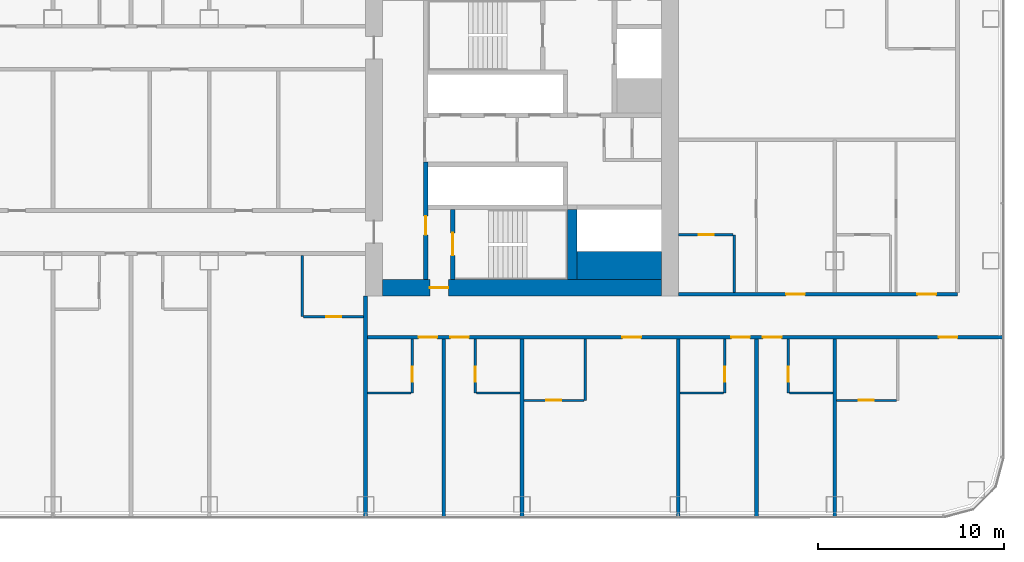
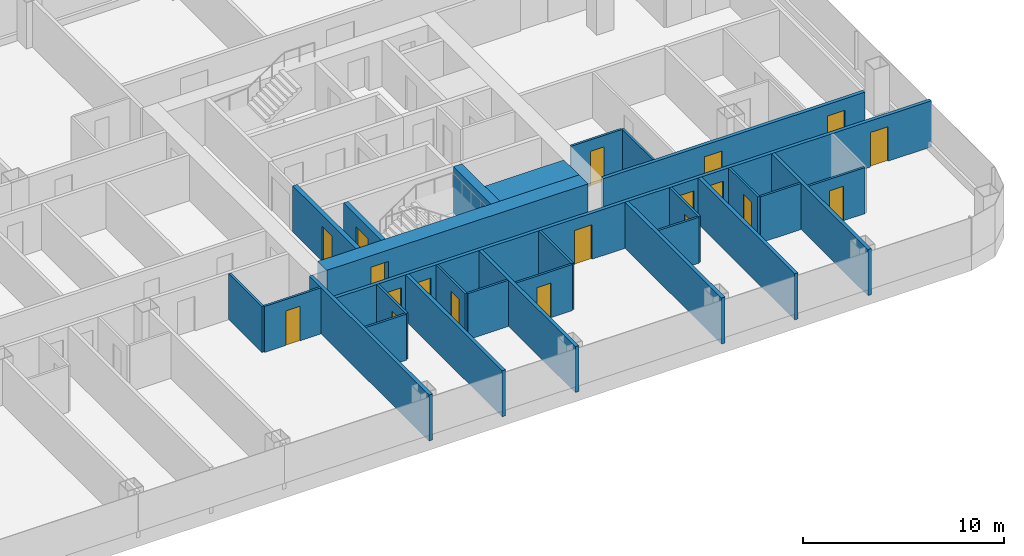
# One storey, part 18 of 29: 28 walls, 19 doors, 19 openings.
"""IFC4 building model written with IfcOpenShell, lengths in metres."""

from ifc_helpers import new_model, si_unit, direction, frame, frame_2d, origin, place, context, subcontext, project, spatial, rectangle, extrude, material, layer, layer_set, type_object, element, fill, save


model = new_model("IFC4")

# Units and contexts
model_context = context("Model", 3, precision=1e-05, world=origin(), true_north=direction((0.0, 1.0)))
body_context = subcontext(model_context, "Body", "Model", "MODEL_VIEW")
ifc_project = project(units=[si_unit("LENGTHUNIT", "METRE"), si_unit("AREAUNIT", "SQUARE_METRE"), si_unit("VOLUMEUNIT", "CUBIC_METRE"), si_unit("PLANEANGLEUNIT", "RADIAN"), si_unit("MASSUNIT", "GRAM", prefix="KILO")], contexts=[model_context])

# Site, building, storey
site_placement = place(None, origin())
site = spatial("IfcSite", under=ifc_project, at=site_placement, CompositionType="ELEMENT")
building_placement = place(site_placement, origin())
building = spatial("IfcBuilding", under=site, at=building_placement, Name="Hakoniwa Tower and Hamabe Station Hall", CompositionType="ELEMENT")
storey_placement = place(building_placement, frame((0.0, 0.0, 29.39990234375)))
storey = spatial("IfcBuildingStorey", under=building, at=storey_placement, Name="L07", CompositionType="ELEMENT", Elevation=29.39990234375)

# Wall, opening, door
ifc_material_1 = material(Name="Gypsum board partition", Category="gypsum")
ifc_layer_1 = layer(ifc_material_1, 0.125)
ifc_layer_set_1 = layer_set([ifc_layer_1], Name="Bathroom Partition 125")
wall_type_1 = type_object("IfcWallType", Name="Bathroom Partition 125", PredefinedType="PARTITIONING", material=ifc_layer_set_1)
wall_1_placement = place(storey_placement, frame((25.300048828125, -14.0, 0.0), z_axis=(0.0, 0.0, 1.0), x_axis=(1.0, 0.0, 0.0)))
wall_1 = element("IfcWall", 1, at=wall_1_placement, inside=storey, type_object=wall_type_1, Name="GW-L07-004", PredefinedType="PARTITIONING", context=body_context, shape_type="SweptSolid", body=[
    extrude(rectangle(XDim=3.237548828125, YDim=0.125, at=frame_2d((1.61865234375, 0.0))), origin(), (0.0, 0.0, 1.0), 2.800048828125),
])
opening_1_placement = place(wall_1_placement, frame((1.199951171875, 0.0, 0.0)))
opening_1 = element("IfcOpeningElement", 2, at=opening_1_placement, cuts=wall_1, Name="Opening GD-G1D0-03", PredefinedType="OPENING", context=body_context, shape_type="SweptSolid", body=[
    extrude(rectangle(XDim=0.800048828125, YDim=2.10009765625, at=frame_2d((0.39990234375, 1.050048828125))), frame((0.0, 0.072509765625, 0.0), z_axis=(0.0, -1.0, 0.0), x_axis=(1.0, 0.0, 0.0)), (0.0, 0.0, 1.0), 0.14501953125),
])
ifc_material_2 = material(Name="Timber door leaf", Category="wood")
door_type_1 = type_object("IfcDoorType", Name="Bathroom Door 800", OperationType="SINGLE_SWING_LEFT", PredefinedType="DOOR", material=ifc_material_2)
door_1_placement = place(opening_1_placement, origin())
door_1 = element("IfcDoor", 3, at=door_1_placement, inside=storey, type_object=door_type_1, Name="Door GD-G1D0-03", OperationType="SINGLE_SWING_LEFT", OverallHeight=2.10009765625, OverallWidth=0.800048828125, PredefinedType="DOOR", context=body_context, shape_type="SweptSolid", body=[
    extrude(rectangle(XDim=0.800048828125, YDim=2.10009765625, at=frame_2d((0.39990234375, 1.050048828125))), frame((0.0, 0.02490234375, 0.0), z_axis=(0.0, -1.0, 0.0), x_axis=(1.0, 0.0, 0.0)), (0.0, 0.0, 1.0), 0.050048828125),
])
fill(opening_1, door_1)

wall_2_placement = place(storey_placement, frame((42.10009765625, -14.0, 0.0), z_axis=(0.0, 0.0, 1.0), x_axis=(1.0, 0.0, 0.0)))
wall_2 = element("IfcWall", 4, at=wall_2_placement, inside=storey, type_object=wall_type_1, Name="GW-L07-005", PredefinedType="PARTITIONING", context=body_context, shape_type="SweptSolid", body=[
    extrude(rectangle(XDim=3.2373046875, YDim=0.125, at=frame_2d((1.61865234375, 0.0))), origin(), (0.0, 0.0, 1.0), 2.800048828125),
])
opening_2_placement = place(wall_2_placement, frame((1.199951171875, 0.0, 0.0)))
opening_2 = element("IfcOpeningElement", 5, at=opening_2_placement, cuts=wall_2, Name="Opening GD-G1D0-04", PredefinedType="OPENING", context=body_context, shape_type="SweptSolid", body=[
    extrude(rectangle(XDim=0.800048828125, YDim=2.10009765625, at=frame_2d((0.39990234375, 1.050048828125))), frame((0.0, 0.072509765625, 0.0), z_axis=(0.0, -1.0, 0.0), x_axis=(1.0, 0.0, 0.0)), (0.0, 0.0, 1.0), 0.14501953125),
])
door_2_placement = place(opening_2_placement, origin())
door_2 = element("IfcDoor", 6, at=door_2_placement, inside=storey, type_object=door_type_1, Name="Door GD-G1D0-04", OperationType="SINGLE_SWING_RIGHT", OverallHeight=2.10009765625, OverallWidth=0.800048828125, PredefinedType="DOOR", context=body_context, shape_type="SweptSolid", body=[
    extrude(rectangle(XDim=0.800048828125, YDim=2.10009765625, at=frame_2d((0.39990234375, 1.050048828125))), frame((0.0, 0.02490234375, 0.0), z_axis=(0.0, -1.0, 0.0), x_axis=(1.0, 0.0, 0.0)), (0.0, 0.0, 1.0), 0.050048828125),
])
fill(opening_2, door_2)

# Walls
for number, where, z_axis, x_axis, name in (
    (7, (16.89990234375, -13.60009765625, 0.0), (0.0, 0.0, 1.0), (1.0, 0.0, 0.0), "GW-L07-008"),
    (8, (22.762451171875, -13.60009765625, 0.0), (0.0, 0.0, 1.0), (1.0, 0.0, 0.0), "GW-L07-009"),
    (9, (33.699951171875, -13.60009765625, 0.0), (0.0, 0.0, 1.0), (1.0, 0.0, 0.0), "GW-L07-010"),
):
    element("IfcWall", number, at=place(storey_placement, frame(where, z_axis=z_axis, x_axis=x_axis)), inside=storey, type_object=wall_type_1, Name=name, PredefinedType="PARTITIONING", context=body_context, shape_type="SweptSolid", body=[
        extrude(rectangle(XDim=2.337646484375, YDim=0.125, at=frame_2d((1.1689453125, 0.0))), origin(), (0.0, 0.0, 1.0), 2.800048828125),
    ])
wall_3_placement = place(storey_placement, frame((39.5625, -13.60009765625, 0.0), z_axis=(0.0, 0.0, 1.0), x_axis=(1.0, 0.0, 0.0)))
element("IfcWall", 10, at=wall_3_placement, inside=storey, type_object=wall_type_1, Name="GW-L07-011", PredefinedType="PARTITIONING", context=body_context, shape_type="SweptSolid", body=[
    extrude(rectangle(XDim=2.33740234375, YDim=0.125, at=frame_2d((1.168701171875, 0.0))), origin(), (0.0, 0.0, 1.0), 2.800048828125),
])

# Wall, opening, door
wall_4_placement = place(storey_placement, frame((13.46240234375, -9.5, 0.0), z_axis=(0.0, 0.0, 1.0), x_axis=(1.0, 0.0, 0.0)))
wall_4 = element("IfcWall", 11, at=wall_4_placement, inside=storey, type_object=wall_type_1, Name="GW-L07-014", PredefinedType="PARTITIONING", context=body_context, shape_type="SweptSolid", body=[
    extrude(rectangle(XDim=3.237548828125, YDim=0.125, at=frame_2d((1.61865234375, 0.0))), origin(), (0.0, 0.0, 1.0), 2.800048828125),
])
opening_3_placement = place(wall_4_placement, frame((1.237548828125, 0.0, 0.0)))
opening_3 = element("IfcOpeningElement", 12, at=opening_3_placement, cuts=wall_4, Name="Opening GD-G1D0-16", PredefinedType="OPENING", context=body_context, shape_type="SweptSolid", body=[
    extrude(rectangle(XDim=0.800048828125, YDim=2.10009765625, at=frame_2d((0.39990234375, 1.050048828125))), frame((0.0, 0.072509765625, 0.0), z_axis=(0.0, -1.0, 0.0), x_axis=(1.0, 0.0, 0.0)), (0.0, 0.0, 1.0), 0.14501953125),
])
door_3_placement = place(opening_3_placement, origin())
door_3 = element("IfcDoor", 13, at=door_3_placement, inside=storey, type_object=door_type_1, Name="Door GD-G1D0-16", OperationType="SINGLE_SWING_LEFT", OverallHeight=2.10009765625, OverallWidth=0.800048828125, PredefinedType="DOOR", context=body_context, shape_type="SweptSolid", body=[
    extrude(rectangle(XDim=0.800048828125, YDim=2.10009765625, at=frame_2d((0.39990234375, 1.050048828125))), frame((0.0, 0.02490234375, 0.0), z_axis=(0.0, -1.0, 0.0), x_axis=(1.0, 0.0, 0.0)), (0.0, 0.0, 1.0), 0.050048828125),
])
fill(opening_3, door_3)

wall_5_placement = place(storey_placement, frame((33.60009765625, -5.10009765625, 0.0), z_axis=(0.0, 0.0, 1.0), x_axis=(1.0, 0.0, 0.0)))
wall_5 = element("IfcWall", 14, at=wall_5_placement, inside=storey, type_object=wall_type_1, Name="GW-L07-023", PredefinedType="PARTITIONING", context=body_context, shape_type="SweptSolid", body=[
    extrude(rectangle(XDim=2.9375, YDim=0.125, at=frame_2d((1.46875, 0.0))), origin(), (0.0, 0.0, 1.0), 2.800048828125),
])
opening_4_placement = place(wall_5_placement, frame((1.10009765625, 0.0, 0.0)))
opening_4 = element("IfcOpeningElement", 15, at=opening_4_placement, cuts=wall_5, Name="Opening GD-G1D0-28", PredefinedType="OPENING", context=body_context, shape_type="SweptSolid", body=[
    extrude(rectangle(XDim=0.800048828125, YDim=2.10009765625, at=frame_2d((0.39990234375, 1.050048828125))), frame((0.0, 0.072509765625, 0.0), z_axis=(0.0, -1.0, 0.0), x_axis=(1.0, 0.0, 0.0)), (0.0, 0.0, 1.0), 0.14501953125),
])
door_4_placement = place(opening_4_placement, origin())
door_4 = element("IfcDoor", 16, at=door_4_placement, inside=storey, type_object=door_type_1, Name="Door GD-G1D0-28", OperationType="SINGLE_SWING_RIGHT", OverallHeight=2.10009765625, OverallWidth=0.800048828125, PredefinedType="DOOR", context=body_context, shape_type="SweptSolid", body=[
    extrude(rectangle(XDim=0.800048828125, YDim=2.10009765625, at=frame_2d((0.39990234375, 1.050048828125))), frame((0.0, 0.02490234375, 0.0), z_axis=(0.0, -1.0, 0.0), x_axis=(1.0, 0.0, 0.0)), (0.0, 0.0, 1.0), 0.050048828125),
])
fill(opening_4, door_4)

# Wall
wall_6_placement = place(storey_placement, frame((13.39990234375, -9.5, 0.0), z_axis=(0.0, 0.0, 1.0), x_axis=(0.0, 1.0, 0.0)))
element("IfcWall", 17, at=wall_6_placement, inside=storey, type_object=wall_type_1, Name="GW-L07-092", PredefinedType="PARTITIONING", context=body_context, shape_type="SweptSolid", body=[
    extrude(rectangle(XDim=3.300048828125, YDim=0.125, at=frame_2d((1.64990234375, 0.0))), origin(), (0.0, 0.0, 1.0), 2.800048828125),
])

# Wall, opening, door
wall_7_placement = place(storey_placement, frame((19.300048828125, -13.60009765625, 0.0), z_axis=(0.0, 0.0, 1.0), x_axis=(0.0, 1.0, 0.0)))
wall_7 = element("IfcWall", 18, at=wall_7_placement, inside=storey, type_object=wall_type_1, Name="GW-L07-096", PredefinedType="PARTITIONING", context=body_context, shape_type="SweptSolid", body=[
    extrude(rectangle(XDim=2.900146484375, YDim=0.125, at=frame_2d((1.4501953125, 0.0))), origin(), (0.0, 0.0, 1.0), 2.800048828125),
])
opening_5_placement = place(wall_7_placement, frame((0.60009765625, 0.0, 0.0)))
opening_5 = element("IfcOpeningElement", 19, at=opening_5_placement, cuts=wall_7, Name="Opening GD-G1D0-74", PredefinedType="OPENING", context=body_context, shape_type="SweptSolid", body=[
    extrude(rectangle(XDim=0.800048828125, YDim=2.10009765625, at=frame_2d((0.39990234375, 1.050048828125))), frame((0.0, 0.072509765625, 0.0), z_axis=(0.0, -1.0, 0.0), x_axis=(1.0, 0.0, 0.0)), (0.0, 0.0, 1.0), 0.14501953125),
])
door_5_placement = place(opening_5_placement, origin())
door_5 = element("IfcDoor", 20, at=door_5_placement, inside=storey, type_object=door_type_1, Name="Door GD-G1D0-74", OperationType="SINGLE_SWING_RIGHT", OverallHeight=2.10009765625, OverallWidth=0.800048828125, PredefinedType="DOOR", context=body_context, shape_type="SweptSolid", body=[
    extrude(rectangle(XDim=0.800048828125, YDim=2.10009765625, at=frame_2d((0.39990234375, 1.050048828125))), frame((0.0, 0.02490234375, 0.0), z_axis=(0.0, -1.0, 0.0), x_axis=(1.0, 0.0, 0.0)), (0.0, 0.0, 1.0), 0.050048828125),
])
fill(opening_5, door_5)

wall_8_placement = place(storey_placement, frame((22.699951171875, -13.60009765625, 0.0), z_axis=(0.0, 0.0, 1.0), x_axis=(0.0, 1.0, 0.0)))
wall_8 = element("IfcWall", 21, at=wall_8_placement, inside=storey, type_object=wall_type_1, Name="GW-L07-098", PredefinedType="PARTITIONING", context=body_context, shape_type="SweptSolid", body=[
    extrude(rectangle(XDim=2.900146484375, YDim=0.125, at=frame_2d((1.4501953125, 0.0))), origin(), (0.0, 0.0, 1.0), 2.800048828125),
])
opening_6_placement = place(wall_8_placement, frame((0.60009765625, 0.0, 0.0)))
opening_6 = element("IfcOpeningElement", 22, at=opening_6_placement, cuts=wall_8, Name="Opening GD-G1D0-75", PredefinedType="OPENING", context=body_context, shape_type="SweptSolid", body=[
    extrude(rectangle(XDim=0.800048828125, YDim=2.10009765625, at=frame_2d((0.39990234375, 1.050048828125))), frame((0.0, 0.072509765625, 0.0), z_axis=(0.0, -1.0, 0.0), x_axis=(1.0, 0.0, 0.0)), (0.0, 0.0, 1.0), 0.14501953125),
])
door_6_placement = place(opening_6_placement, origin())
door_6 = element("IfcDoor", 23, at=door_6_placement, inside=storey, type_object=door_type_1, Name="Door GD-G1D0-75", OperationType="SINGLE_SWING_LEFT", OverallHeight=2.10009765625, OverallWidth=0.800048828125, PredefinedType="DOOR", context=body_context, shape_type="SweptSolid", body=[
    extrude(rectangle(XDim=0.800048828125, YDim=2.10009765625, at=frame_2d((0.39990234375, 1.050048828125))), frame((0.0, 0.02490234375, 0.0), z_axis=(0.0, -1.0, 0.0), x_axis=(1.0, 0.0, 0.0)), (0.0, 0.0, 1.0), 0.050048828125),
])
fill(opening_6, door_6)

# Wall
wall_9_placement = place(storey_placement, frame((28.60009765625, -14.0, 0.0), z_axis=(0.0, 0.0, 1.0), x_axis=(0.0, 1.0, 0.0)))
element("IfcWall", 24, at=wall_9_placement, inside=storey, type_object=wall_type_1, Name="GW-L07-101", PredefinedType="PARTITIONING", context=body_context, shape_type="SweptSolid", body=[
    extrude(rectangle(XDim=3.300048828125, YDim=0.125, at=frame_2d((1.64990234375, 0.0))), origin(), (0.0, 0.0, 1.0), 2.800048828125),
])

# Wall, opening, door
wall_10_placement = place(storey_placement, frame((36.10009765625, -13.60009765625, 0.0), z_axis=(0.0, 0.0, 1.0), x_axis=(0.0, 1.0, 0.0)))
wall_10 = element("IfcWall", 25, at=wall_10_placement, inside=storey, type_object=wall_type_1, Name="GW-L07-104", PredefinedType="PARTITIONING", context=body_context, shape_type="SweptSolid", body=[
    extrude(rectangle(XDim=2.900146484375, YDim=0.125, at=frame_2d((1.4501953125, 0.0))), origin(), (0.0, 0.0, 1.0), 2.800048828125),
])
opening_7_placement = place(wall_10_placement, frame((0.60009765625, 0.0, 0.0)))
opening_7 = element("IfcOpeningElement", 26, at=opening_7_placement, cuts=wall_10, Name="Opening GD-G1D0-76", PredefinedType="OPENING", context=body_context, shape_type="SweptSolid", body=[
    extrude(rectangle(XDim=0.800048828125, YDim=2.10009765625, at=frame_2d((0.39990234375, 1.050048828125))), frame((0.0, 0.072509765625, 0.0), z_axis=(0.0, -1.0, 0.0), x_axis=(1.0, 0.0, 0.0)), (0.0, 0.0, 1.0), 0.14501953125),
])
door_7_placement = place(opening_7_placement, origin())
door_7 = element("IfcDoor", 27, at=door_7_placement, inside=storey, type_object=door_type_1, Name="Door GD-G1D0-76", OperationType="SINGLE_SWING_RIGHT", OverallHeight=2.10009765625, OverallWidth=0.800048828125, PredefinedType="DOOR", context=body_context, shape_type="SweptSolid", body=[
    extrude(rectangle(XDim=0.800048828125, YDim=2.10009765625, at=frame_2d((0.39990234375, 1.050048828125))), frame((0.0, 0.02490234375, 0.0), z_axis=(0.0, -1.0, 0.0), x_axis=(1.0, 0.0, 0.0)), (0.0, 0.0, 1.0), 0.050048828125),
])
fill(opening_7, door_7)

# Wall
wall_11_placement = place(storey_placement, frame((36.60009765625, -8.199951171875, 0.0), z_axis=(0.0, 0.0, 1.0), x_axis=(0.0, 1.0, 0.0)))
element("IfcWall", 28, at=wall_11_placement, inside=storey, type_object=wall_type_1, Name="GW-L07-105", PredefinedType="PARTITIONING", context=body_context, shape_type="SweptSolid", body=[
    extrude(rectangle(XDim=3.099853515625, YDim=0.125, at=frame_2d((1.5498046875, 0.0))), origin(), (0.0, 0.0, 1.0), 2.800048828125),
])

# Wall, opening, door
wall_12_placement = place(storey_placement, frame((39.5, -13.60009765625, 0.0), z_axis=(0.0, 0.0, 1.0), x_axis=(0.0, 1.0, 0.0)))
wall_12 = element("IfcWall", 29, at=wall_12_placement, inside=storey, type_object=wall_type_1, Name="GW-L07-108", PredefinedType="PARTITIONING", context=body_context, shape_type="SweptSolid", body=[
    extrude(rectangle(XDim=2.900146484375, YDim=0.125, at=frame_2d((1.4501953125, 0.0))), origin(), (0.0, 0.0, 1.0), 2.800048828125),
])
opening_8_placement = place(wall_12_placement, frame((0.60009765625, 0.0, 0.0)))
opening_8 = element("IfcOpeningElement", 30, at=opening_8_placement, cuts=wall_12, Name="Opening GD-G1D0-78", PredefinedType="OPENING", context=body_context, shape_type="SweptSolid", body=[
    extrude(rectangle(XDim=0.800048828125, YDim=2.10009765625, at=frame_2d((0.39990234375, 1.050048828125))), frame((0.0, 0.072509765625, 0.0), z_axis=(0.0, -1.0, 0.0), x_axis=(1.0, 0.0, 0.0)), (0.0, 0.0, 1.0), 0.14501953125),
])
door_8_placement = place(opening_8_placement, origin())
door_8 = element("IfcDoor", 31, at=door_8_placement, inside=storey, type_object=door_type_1, Name="Door GD-G1D0-78", OperationType="SINGLE_SWING_LEFT", OverallHeight=2.10009765625, OverallWidth=0.800048828125, PredefinedType="DOOR", context=body_context, shape_type="SweptSolid", body=[
    extrude(rectangle(XDim=0.800048828125, YDim=2.10009765625, at=frame_2d((0.39990234375, 1.050048828125))), frame((0.0, 0.02490234375, 0.0), z_axis=(0.0, -1.0, 0.0), x_axis=(1.0, 0.0, 0.0)), (0.0, 0.0, 1.0), 0.050048828125),
])
fill(opening_8, door_8)

ifc_material_3 = material(Name="Concrete C80", Category="concrete")
ifc_layer_2 = layer(ifc_material_3, 0.89990234375)
ifc_layer_set_2 = layer_set([ifc_layer_2], Name="CORE WALL 900 C80")
wall_type_2 = type_object("IfcWallType", Name="CORE WALL 900 C80", PredefinedType="SHEAR", material=ifc_layer_set_2)
wall_13_placement = place(storey_placement, frame((17.699951171875, -7.949951171875, 0.0), z_axis=(0.0, 0.0, 1.0), x_axis=(1.0, 0.0, 0.0)))
wall_13 = element("IfcWall", 32, at=wall_13_placement, inside=storey, type_object=wall_type_2, Name="Core wall SOUTH east", PredefinedType="SHEAR", context=body_context, shape_type="SweptSolid", body=[
    extrude(rectangle(XDim=15.0, YDim=0.89990234375, at=frame_2d((7.5, 0.0))), origin(), (0.0, 0.0, 1.0), 2.800048828125),
])
opening_9_placement = place(wall_13_placement, frame((2.550048828125, 0.0, 0.0)))
opening_9 = element("IfcOpeningElement", 33, at=opening_9_placement, cuts=wall_13, Name="Opening CD-E-FS3-10", PredefinedType="OPENING", context=body_context, shape_type="SweptSolid", body=[
    extrude(rectangle(XDim=1.0, YDim=2.10009765625, at=frame_2d((0.5, 1.050048828125))), frame((0.0, 0.4599609375, 0.0), z_axis=(0.0, -1.0, 0.0), x_axis=(1.0, 0.0, 0.0)), (0.0, 0.0, 1.0), 0.919921875),
])
ifc_material_4 = material(Name="Steel fire door", Category="steel")
door_type_2 = type_object("IfcDoorType", Name="CORE DOOR 1000 FD60", OperationType="NOTDEFINED", PredefinedType="DOOR", material=ifc_material_4)
door_9_placement = place(opening_9_placement, origin())
door_9 = element("IfcDoor", 34, at=door_9_placement, inside=storey, type_object=door_type_2, Name="Stair vestibule door", OperationType="SINGLE_SWING_RIGHT", OverallHeight=2.10009765625, OverallWidth=1.0, PredefinedType="DOOR", context=body_context, shape_type="SweptSolid", body=[
    extrude(rectangle(XDim=1.0, YDim=2.10009765625, at=frame_2d((0.5, 1.050048828125))), frame((0.0, 0.02490234375, 0.0), z_axis=(0.0, -1.0, 0.0), x_axis=(1.0, 0.0, 0.0)), (0.0, 0.0, 1.0), 0.050048828125),
])
fill(opening_9, door_9)

# Wall
ifc_material_5 = material(Name="Concrete C80", Category="concrete")
ifc_layer_3 = layer(ifc_material_5, 1.5)
ifc_layer_set_3 = layer_set([ifc_layer_3], Name="CORE WEB WALL 1500 C80")
wall_type_3 = type_object("IfcWallType", Name="CORE WEB WALL 1500 C80", PredefinedType="SHEAR", material=ifc_layer_set_3)
wall_14_placement = place(storey_placement, frame((28.14990234375, -6.75, 0.0), z_axis=(0.0, 0.0, 1.0), x_axis=(1.0, 0.0, 0.0)))
element("IfcWall", 35, at=wall_14_placement, inside=storey, type_object=wall_type_3, Name="Core wall SER east", PredefinedType="SHEAR", context=body_context, shape_type="SweptSolid", body=[
    extrude(rectangle(XDim=4.550048828125, YDim=1.5, at=frame_2d((2.27490234375, 0.0))), origin(), (0.0, 0.0, 1.0), 2.800048828125),
])

# Wall, opening, door
ifc_material_6 = material(Name="Concrete C80", Category="concrete")
ifc_layer_4 = layer(ifc_material_6, 0.25)
ifc_layer_set_4 = layer_set([ifc_layer_4], Name="CORE WEB WALL 250 C80")
wall_type_4 = type_object("IfcWallType", Name="CORE WEB WALL 250 C80", PredefinedType="SHEAR", material=ifc_layer_set_4)
wall_15_placement = place(storey_placement, frame((20.02490234375, -7.5, 0.0), z_axis=(0.0, 0.0, 1.0), x_axis=(0.0, 1.0, 0.0)))
wall_15 = element("IfcWall", 36, at=wall_15_placement, inside=storey, type_object=wall_type_4, Name="Core wall W1S east", PredefinedType="SHEAR", context=body_context, shape_type="SweptSolid", body=[
    extrude(rectangle(XDim=6.300048828125, YDim=0.25, at=frame_2d((3.14990234375, 0.0))), origin(), (0.0, 0.0, 1.0), 2.800048828125),
])
opening_10_placement = place(wall_15_placement, frame((2.39990234375, 0.0, 0.0)))
opening_10 = element("IfcOpeningElement", 37, at=opening_10_placement, cuts=wall_15, Name="Opening CD-E-VS-10", PredefinedType="OPENING", context=body_context, shape_type="SweptSolid", body=[
    extrude(rectangle(XDim=1.0, YDim=2.10009765625, at=frame_2d((0.5, 1.050048828125))), frame((0.0, 0.135009765625, 0.0), z_axis=(0.0, -1.0, 0.0), x_axis=(1.0, 0.0, 0.0)), (0.0, 0.0, 1.0), 0.27001953125),
])
door_10_placement = place(opening_10_placement, origin())
door_10 = element("IfcDoor", 38, at=door_10_placement, inside=storey, type_object=door_type_2, Name="Stair vestibule door", OperationType="SINGLE_SWING_RIGHT", OverallHeight=2.10009765625, OverallWidth=1.0, PredefinedType="DOOR", context=body_context, shape_type="SweptSolid", body=[
    extrude(rectangle(XDim=1.0, YDim=2.10009765625, at=frame_2d((0.5, 1.050048828125))), frame((0.0, 0.02490234375, 0.0), z_axis=(0.0, -1.0, 0.0), x_axis=(1.0, 0.0, 0.0)), (0.0, 0.0, 1.0), 0.050048828125),
])
fill(opening_10, door_10)

wall_16_placement = place(storey_placement, frame((21.47509765625, -7.5, 0.0), z_axis=(0.0, 0.0, 1.0), x_axis=(0.0, 1.0, 0.0)))
wall_16 = element("IfcWall", 39, at=wall_16_placement, inside=storey, type_object=wall_type_4, Name="Core wall VE east", PredefinedType="SHEAR", context=body_context, shape_type="SweptSolid", body=[
    extrude(rectangle(XDim=3.75, YDim=0.25, at=frame_2d((1.875, 0.0))), origin(), (0.0, 0.0, 1.0), 2.800048828125),
])
opening_11_placement = place(wall_16_placement, frame((1.300048828125, 0.0, 0.0)))
opening_11 = element("IfcOpeningElement", 40, at=opening_11_placement, cuts=wall_16, Name="Opening CD-E-SS-12", PredefinedType="OPENING", context=body_context, shape_type="SweptSolid", body=[
    extrude(rectangle(XDim=1.199951171875, YDim=2.10009765625, at=frame_2d((0.60009765625, 1.050048828125))), frame((0.0, 0.135009765625, 0.0), z_axis=(0.0, -1.0, 0.0), x_axis=(1.0, 0.0, 0.0)), (0.0, 0.0, 1.0), 0.27001953125),
])
ifc_material_7 = material(Name="Steel fire door", Category="steel")
door_type_3 = type_object("IfcDoorType", Name="CORE DOOR 1200 FD60", OperationType="DOUBLE_DOOR_SINGLE_SWING", PredefinedType="DOOR", material=ifc_material_7)
door_11_placement = place(opening_11_placement, origin())
door_11 = element("IfcDoor", 41, at=door_11_placement, inside=storey, type_object=door_type_3, Name="Escape stair door", OperationType="DOUBLE_DOOR_SINGLE_SWING", OverallHeight=2.10009765625, OverallWidth=1.199951171875, PredefinedType="DOOR", context=body_context, shape_type="SweptSolid", body=[
    extrude(rectangle(XDim=1.199951171875, YDim=2.10009765625, at=frame_2d((0.60009765625, 1.050048828125))), frame((0.0, 0.02490234375, 0.0), z_axis=(0.0, -1.0, 0.0), x_axis=(1.0, 0.0, 0.0)), (0.0, 0.0, 1.0), 0.050048828125),
])
fill(opening_11, door_11)

# Wall
ifc_material_8 = material(Name="Concrete C80", Category="concrete")
ifc_layer_5 = layer(ifc_material_8, 0.5)
ifc_layer_set_5 = layer_set([ifc_layer_5], Name="CORE WEB WALL 500 C80")
wall_type_5 = type_object("IfcWallType", Name="CORE WEB WALL 500 C80", PredefinedType="SHEAR", material=ifc_layer_set_5)
wall_17_placement = place(storey_placement, frame((27.89990234375, -7.5, 0.0), z_axis=(0.0, 0.0, 1.0), x_axis=(0.0, 1.0, 0.0)))
element("IfcWall", 42, at=wall_17_placement, inside=storey, type_object=wall_type_5, Name="Core wall SSE east", PredefinedType="SHEAR", context=body_context, shape_type="SweptSolid", body=[
    extrude(rectangle(XDim=3.75, YDim=0.5, at=frame_2d((1.875, 0.0))), origin(), (0.0, 0.0, 1.0), 2.800048828125),
])

# Wall, openings, doors
ifc_material_9 = material(Name="Fire-rated gypsum board partition", Category="gypsum")
ifc_layer_6 = layer(ifc_material_9, 0.199951171875)
ifc_layer_set_6 = layer_set([ifc_layer_6], Name="Corridor Wall 200")
wall_type_6 = type_object("IfcWallType", Name="Corridor Wall 200", PredefinedType="PARTITIONING", material=ifc_layer_set_6)
wall_18_placement = place(storey_placement, frame((16.800048828125, -10.60009765625, 0.0), z_axis=(0.0, 0.0, 1.0), x_axis=(1.0, 0.0, 0.0)))
wall_18 = element("IfcWall", 43, at=wall_18_placement, inside=storey, type_object=wall_type_6, Name="GW-L07-013", PredefinedType="PARTITIONING", context=body_context, shape_type="SweptSolid", body=[
    extrude(rectangle(XDim=34.300048828125, YDim=0.199951171875, at=frame_2d((17.14990234375, 0.0))), origin(), (0.0, 0.0, 1.0), 2.800048828125),
])
opening_12_placement = place(wall_18_placement, frame((2.85009765625, 0.0, 0.0)))
opening_12 = element("IfcOpeningElement", 44, at=opening_12_placement, cuts=wall_18, Name="Opening GD-G1D0-10", PredefinedType="OPENING", context=body_context, shape_type="SweptSolid", body=[
    extrude(rectangle(XDim=1.0, YDim=2.10009765625, at=frame_2d((0.5, 1.050048828125))), frame((0.0, 0.10986328125, 0.0), z_axis=(0.0, -1.0, 0.0), x_axis=(1.0, 0.0, 0.0)), (0.0, 0.0, 1.0), 0.219970703125),
])
opening_13_placement = place(wall_18_placement, frame((4.550048828125, 0.0, 0.0)))
opening_13 = element("IfcOpeningElement", 45, at=opening_13_placement, cuts=wall_18, Name="Opening GD-G1D0-11", PredefinedType="OPENING", context=body_context, shape_type="SweptSolid", body=[
    extrude(rectangle(XDim=1.0, YDim=2.10009765625, at=frame_2d((0.5, 1.050048828125))), frame((0.0, 0.10986328125, 0.0), z_axis=(0.0, -1.0, 0.0), x_axis=(1.0, 0.0, 0.0)), (0.0, 0.0, 1.0), 0.219970703125),
])
opening_14_placement = place(wall_18_placement, frame((13.800048828125, 0.0, 0.0)))
opening_14 = element("IfcOpeningElement", 46, at=opening_14_placement, cuts=wall_18, Name="Opening GD-G1D0-12", PredefinedType="OPENING", context=body_context, shape_type="SweptSolid", body=[
    extrude(rectangle(XDim=1.0, YDim=2.10009765625, at=frame_2d((0.5, 1.050048828125))), frame((0.0, 0.10986328125, 0.0), z_axis=(0.0, -1.0, 0.0), x_axis=(1.0, 0.0, 0.0)), (0.0, 0.0, 1.0), 0.219970703125),
])
opening_15_placement = place(wall_18_placement, frame((19.64990234375, 0.0, 0.0)))
opening_15 = element("IfcOpeningElement", 47, at=opening_15_placement, cuts=wall_18, Name="Opening GD-G1D0-13", PredefinedType="OPENING", context=body_context, shape_type="SweptSolid", body=[
    extrude(rectangle(XDim=1.0, YDim=2.10009765625, at=frame_2d((0.5, 1.050048828125))), frame((0.0, 0.10986328125, 0.0), z_axis=(0.0, -1.0, 0.0), x_axis=(1.0, 0.0, 0.0)), (0.0, 0.0, 1.0), 0.219970703125),
])
opening_16_placement = place(wall_18_placement, frame((21.35009765625, 0.0, 0.0)))
opening_16 = element("IfcOpeningElement", 48, at=opening_16_placement, cuts=wall_18, Name="Opening GD-G1D0-14", PredefinedType="OPENING", context=body_context, shape_type="SweptSolid", body=[
    extrude(rectangle(XDim=1.0, YDim=2.10009765625, at=frame_2d((0.5, 1.050048828125))), frame((0.0, 0.10986328125, 0.0), z_axis=(0.0, -1.0, 0.0), x_axis=(1.0, 0.0, 0.0)), (0.0, 0.0, 1.0), 0.219970703125),
])
opening_17_placement = place(wall_18_placement, frame((30.800048828125, 0.0, 0.0)))
opening_17 = element("IfcOpeningElement", 49, at=opening_17_placement, cuts=wall_18, Name="Opening GD-G1D0-15", PredefinedType="OPENING", context=body_context, shape_type="SweptSolid", body=[
    extrude(rectangle(XDim=1.0, YDim=2.10009765625, at=frame_2d((0.5, 1.050048828125))), frame((0.0, 0.10986328125, 0.0), z_axis=(0.0, -1.0, 0.0), x_axis=(1.0, 0.0, 0.0)), (0.0, 0.0, 1.0), 0.219970703125),
])
ifc_material_10 = material(Name="Timber door leaf", Category="wood")
door_type_4 = type_object("IfcDoorType", Name="Guest Entrance Door 1000", OperationType="SINGLE_SWING_LEFT", PredefinedType="DOOR", material=ifc_material_10)
door_12_placement = place(opening_12_placement, origin())
door_12 = element("IfcDoor", 50, at=door_12_placement, inside=storey, type_object=door_type_4, Name="Door GD-G1D0-10", OperationType="SINGLE_SWING_RIGHT", OverallHeight=2.10009765625, OverallWidth=1.0, PredefinedType="DOOR", context=body_context, shape_type="SweptSolid", body=[
    extrude(rectangle(XDim=1.0, YDim=2.10009765625, at=frame_2d((0.5, 1.050048828125))), frame((0.0, 0.02490234375, 0.0), z_axis=(0.0, -1.0, 0.0), x_axis=(1.0, 0.0, 0.0)), (0.0, 0.0, 1.0), 0.050048828125),
])
fill(opening_12, door_12)
door_13_placement = place(opening_13_placement, origin())
door_13 = element("IfcDoor", 51, at=door_13_placement, inside=storey, type_object=door_type_4, Name="Door GD-G1D0-11", OperationType="SINGLE_SWING_LEFT", OverallHeight=2.10009765625, OverallWidth=1.0, PredefinedType="DOOR", context=body_context, shape_type="SweptSolid", body=[
    extrude(rectangle(XDim=1.0, YDim=2.10009765625, at=frame_2d((0.5, 1.050048828125))), frame((0.0, 0.02490234375, 0.0), z_axis=(0.0, -1.0, 0.0), x_axis=(1.0, 0.0, 0.0)), (0.0, 0.0, 1.0), 0.050048828125),
])
fill(opening_13, door_13)
door_14_placement = place(opening_14_placement, origin())
door_14 = element("IfcDoor", 52, at=door_14_placement, inside=storey, type_object=door_type_4, Name="Door GD-G1D0-12", OperationType="SINGLE_SWING_RIGHT", OverallHeight=2.10009765625, OverallWidth=1.0, PredefinedType="DOOR", context=body_context, shape_type="SweptSolid", body=[
    extrude(rectangle(XDim=1.0, YDim=2.10009765625, at=frame_2d((0.5, 1.050048828125))), frame((0.0, 0.02490234375, 0.0), z_axis=(0.0, -1.0, 0.0), x_axis=(1.0, 0.0, 0.0)), (0.0, 0.0, 1.0), 0.050048828125),
])
fill(opening_14, door_14)
door_15_placement = place(opening_15_placement, origin())
door_15 = element("IfcDoor", 53, at=door_15_placement, inside=storey, type_object=door_type_4, Name="Door GD-G1D0-13", OperationType="SINGLE_SWING_LEFT", OverallHeight=2.10009765625, OverallWidth=1.0, PredefinedType="DOOR", context=body_context, shape_type="SweptSolid", body=[
    extrude(rectangle(XDim=1.0, YDim=2.10009765625, at=frame_2d((0.5, 1.050048828125))), frame((0.0, 0.02490234375, 0.0), z_axis=(0.0, -1.0, 0.0), x_axis=(1.0, 0.0, 0.0)), (0.0, 0.0, 1.0), 0.050048828125),
])
fill(opening_15, door_15)
door_16_placement = place(opening_16_placement, origin())
door_16 = element("IfcDoor", 54, at=door_16_placement, inside=storey, type_object=door_type_4, Name="Door GD-G1D0-14", OperationType="SINGLE_SWING_RIGHT", OverallHeight=2.10009765625, OverallWidth=1.0, PredefinedType="DOOR", context=body_context, shape_type="SweptSolid", body=[
    extrude(rectangle(XDim=1.0, YDim=2.10009765625, at=frame_2d((0.5, 1.050048828125))), frame((0.0, 0.02490234375, 0.0), z_axis=(0.0, -1.0, 0.0), x_axis=(1.0, 0.0, 0.0)), (0.0, 0.0, 1.0), 0.050048828125),
])
fill(opening_16, door_16)
door_17_placement = place(opening_17_placement, origin())
door_17 = element("IfcDoor", 55, at=door_17_placement, inside=storey, type_object=door_type_4, Name="Door GD-G1D0-15", OperationType="SINGLE_SWING_LEFT", OverallHeight=2.10009765625, OverallWidth=1.0, PredefinedType="DOOR", context=body_context, shape_type="SweptSolid", body=[
    extrude(rectangle(XDim=1.0, YDim=2.10009765625, at=frame_2d((0.5, 1.050048828125))), frame((0.0, 0.02490234375, 0.0), z_axis=(0.0, -1.0, 0.0), x_axis=(1.0, 0.0, 0.0)), (0.0, 0.0, 1.0), 0.050048828125),
])
fill(opening_17, door_17)

wall_19_placement = place(storey_placement, frame((33.60009765625, -8.300048828125, 0.0), z_axis=(0.0, 0.0, 1.0), x_axis=(1.0, 0.0, 0.0)))
wall_19 = element("IfcWall", 56, at=wall_19_placement, inside=storey, type_object=wall_type_6, Name="GW-L07-020", PredefinedType="PARTITIONING", context=body_context, shape_type="SweptSolid", body=[
    extrude(rectangle(XDim=15.0, YDim=0.199951171875, at=frame_2d((7.5, 0.0))), origin(), (0.0, 0.0, 1.0), 2.800048828125),
])
opening_18_placement = place(wall_19_placement, frame((5.800048828125, 0.0, 0.0)))
opening_18 = element("IfcOpeningElement", 57, at=opening_18_placement, cuts=wall_19, Name="Opening GD-G1D0-19", PredefinedType="OPENING", context=body_context, shape_type="SweptSolid", body=[
    extrude(rectangle(XDim=1.0, YDim=2.10009765625, at=frame_2d((0.5, 1.050048828125))), frame((0.0, 0.10986328125, 0.0), z_axis=(0.0, -1.0, 0.0), x_axis=(1.0, 0.0, 0.0)), (0.0, 0.0, 1.0), 0.219970703125),
])
opening_19_placement = place(wall_19_placement, frame((12.85009765625, 0.0, 0.0)))
opening_19 = element("IfcOpeningElement", 58, at=opening_19_placement, cuts=wall_19, Name="Opening GD-G1D0-20", PredefinedType="OPENING", context=body_context, shape_type="SweptSolid", body=[
    extrude(rectangle(XDim=1.0, YDim=2.10009765625, at=frame_2d((0.5, 1.050048828125))), frame((0.0, 0.10986328125, 0.0), z_axis=(0.0, -1.0, 0.0), x_axis=(1.0, 0.0, 0.0)), (0.0, 0.0, 1.0), 0.219970703125),
])
door_18_placement = place(opening_18_placement, origin())
door_18 = element("IfcDoor", 59, at=door_18_placement, inside=storey, type_object=door_type_4, Name="Door GD-G1D0-19", OperationType="SINGLE_SWING_LEFT", OverallHeight=2.10009765625, OverallWidth=1.0, PredefinedType="DOOR", context=body_context, shape_type="SweptSolid", body=[
    extrude(rectangle(XDim=1.0, YDim=2.10009765625, at=frame_2d((0.5, 1.050048828125))), frame((0.0, 0.02490234375, 0.0), z_axis=(0.0, -1.0, 0.0), x_axis=(1.0, 0.0, 0.0)), (0.0, 0.0, 1.0), 0.050048828125),
])
fill(opening_18, door_18)
door_19_placement = place(opening_19_placement, origin())
door_19 = element("IfcDoor", 60, at=door_19_placement, inside=storey, type_object=door_type_4, Name="Door GD-G1D0-20", OperationType="SINGLE_SWING_LEFT", OverallHeight=2.10009765625, OverallWidth=1.0, PredefinedType="DOOR", context=body_context, shape_type="SweptSolid", body=[
    extrude(rectangle(XDim=1.0, YDim=2.10009765625, at=frame_2d((0.5, 1.050048828125))), frame((0.0, 0.02490234375, 0.0), z_axis=(0.0, -1.0, 0.0), x_axis=(1.0, 0.0, 0.0)), (0.0, 0.0, 1.0), 0.050048828125),
])
fill(opening_19, door_19)

# Walls
ifc_material_11 = material(Name="Fire-rated gypsum board partition", Category="gypsum")
ifc_layer_7 = layer(ifc_material_11, 0.199951171875)
ifc_layer_set_7 = layer_set([ifc_layer_7], Name="Party Wall 200")
wall_type_7 = type_object("IfcWallType", Name="Party Wall 200", PredefinedType="PARTITIONING", material=ifc_layer_set_7)
wall_20_placement = place(storey_placement, frame((16.800048828125, -20.300048828125, 0.0), z_axis=(0.0, 0.0, 1.0), x_axis=(0.0, 1.0, 0.0)))
element("IfcWall", 61, at=wall_20_placement, inside=storey, type_object=wall_type_7, Name="GW-L07-094", PredefinedType="PARTITIONING", context=body_context, shape_type="SweptSolid", body=[
    extrude(rectangle(XDim=11.91015625, YDim=0.199951171875, at=frame_2d((5.955078125, 0.0))), origin(), (0.0, 0.0, 1.0), 2.800048828125),
])
for number, where, z_axis, x_axis, name in (
    (62, (21.0, -20.300048828125, 0.0), (0.0, 0.0, 1.0), (0.0, 1.0, 0.0), "GW-L07-097"),
    (63, (25.199951171875, -20.300048828125, 0.0), (0.0, 0.0, 1.0), (0.0, 1.0, 0.0), "GW-L07-099"),
    (64, (33.60009765625, -20.300048828125, 0.0), (0.0, 0.0, 1.0), (0.0, 1.0, 0.0), "GW-L07-102"),
    (65, (37.800048828125, -20.300048828125, 0.0), (0.0, 0.0, 1.0), (0.0, 1.0, 0.0), "GW-L07-106"),
    (66, (42.0, -20.300048828125, 0.0), (0.0, 0.0, 1.0), (0.0, 1.0, 0.0), "GW-L07-109"),
):
    element("IfcWall", number, at=place(storey_placement, frame(where, z_axis=z_axis, x_axis=x_axis)), inside=storey, type_object=wall_type_7, Name=name, PredefinedType="PARTITIONING", context=body_context, shape_type="SweptSolid", body=[
        extrude(rectangle(XDim=9.60009765625, YDim=0.199951171875, at=frame_2d((4.800048828125, 0.0))), origin(), (0.0, 0.0, 1.0), 2.800048828125),
    ])

save(model, "model.ifc")
